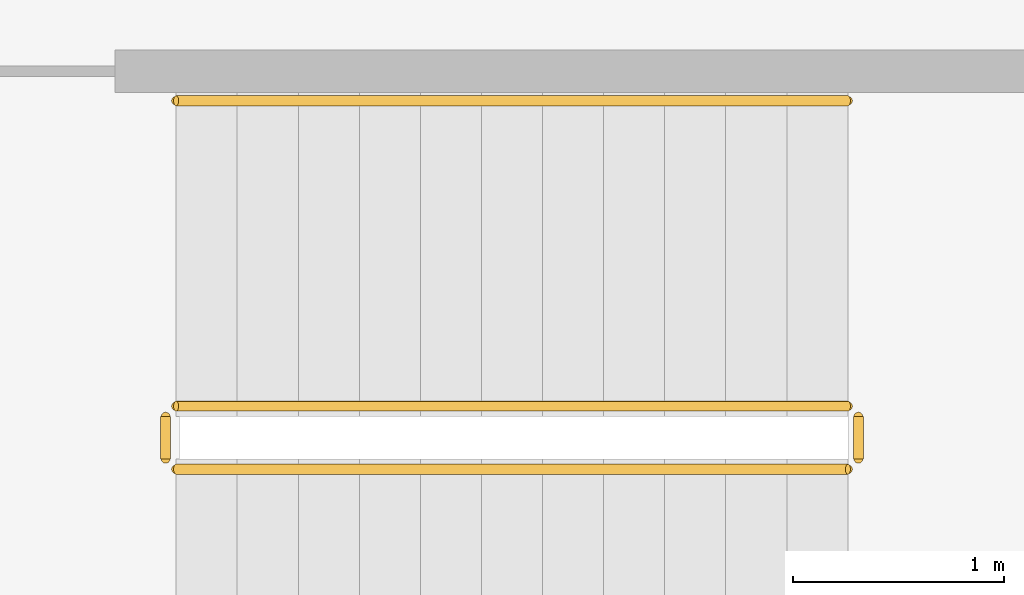
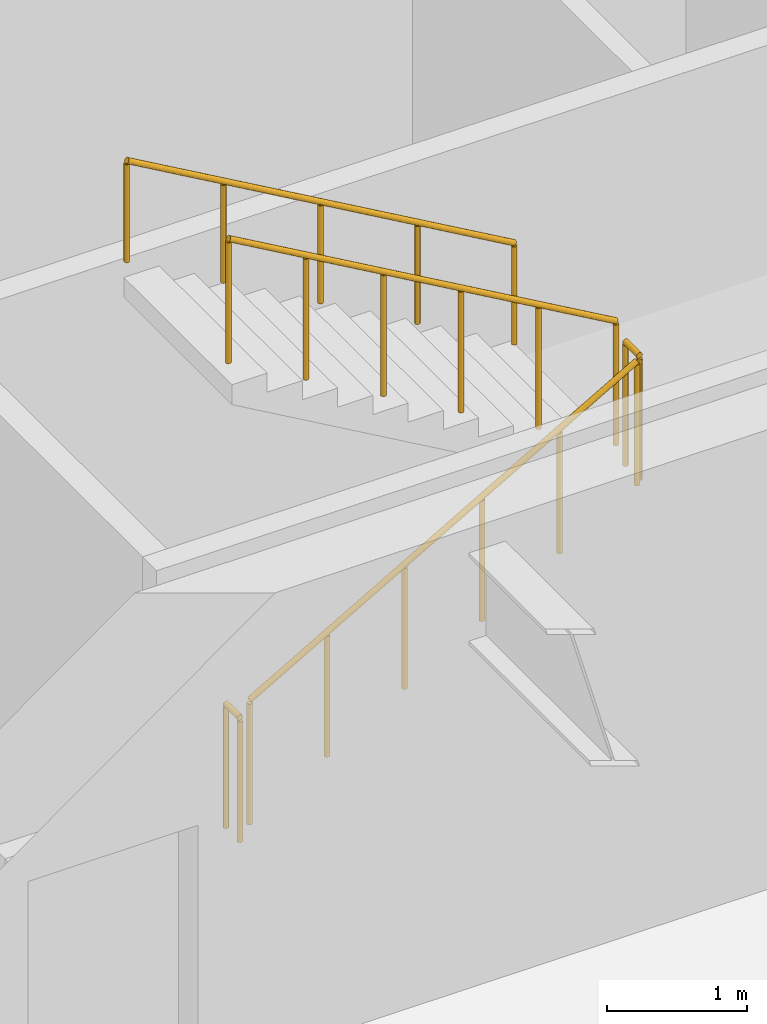
# One storey, part 19 of 20: 5 railings.
"""IFC4 building model written with IfcOpenShell, lengths in metres."""

import ifcopenshell
import ifcopenshell.guid

model = None  # the IFC model being written
_history = None  # IfcOwnerHistory: only IFC2X3 demands one
_inside = {}  # id of a spatial element -> (the spatial element, [elements in it])
_under = {}  # id of a project, library or spatial element -> (it, [spatial elements below it])
_declared = {}  # id of a project -> (the project, [libraries it declares])
_typed = {}  # id of a type object -> (the type object, [elements of that type])
_made_of = {}  # id of a material, layer set ... -> (it, [elements and type objects made of it])


def new_model(schema):
    """Start an empty IFC model of exactly this schema.

    Asked for "IFC4X3", IfcOpenShell would pick the latest addendum, in which some entities
    have other attributes; the version numbers below select the first issue.
    IFC2X3 requires an IfcOwnerHistory on every rooted entity: one is made here for all.
    """
    global model, _history
    if schema == "IFC4X3":
        model = ifcopenshell.file(schema_version=(4, 3, 0, 0))
    else:
        model = ifcopenshell.file(schema=schema)
    _inside.clear()
    _under.clear()
    _declared.clear()
    _typed.clear()
    _made_of.clear()
    _history = None
    if model.schema == "IFC2X3":
        org = make("IfcOrganization", Name="unknown")
        user = make(
            "IfcPersonAndOrganization",
            ThePerson=make("IfcPerson", FamilyName="unknown"),
            TheOrganization=org,
        )
        app = make(
            "IfcApplication",
            ApplicationDeveloper=org,
            Version="unknown",
            ApplicationFullName="unknown",
            ApplicationIdentifier="unknown",
        )
        _history = make(
            "IfcOwnerHistory",
            OwningUser=user,
            OwningApplication=app,
            ChangeAction="ADDED",
            CreationDate=0,
        )
    return model


def make(cls, **values):
    """One entity of the class cls with the attributes given. An attribute that is None is left unset."""
    return model.create_entity(
        cls, **{name: value for name, value in values.items() if value is not None}
    )


def rooted(cls, **values):
    """An entity with a GlobalId (a new one), such as an element, a storey or a relation."""
    return make(cls, GlobalId=ifcopenshell.guid.new(), OwnerHistory=_history, **values)


def si_unit(unit_type, name, prefix=None):
    """IfcSIUnit, for example si_unit("LENGTHUNIT", "METRE", prefix="MILLI")."""
    return make("IfcSIUnit", UnitType=unit_type, Prefix=prefix, Name=name)


def assignment(units):
    """IfcUnitAssignment: the units of a project."""
    return None if units is None else make("IfcUnitAssignment", Units=units)


def point(xyz):
    """IfcCartesianPoint."""
    return None if xyz is None else make("IfcCartesianPoint", Coordinates=xyz)


def direction(xyz):
    """IfcDirection."""
    return None if xyz is None else make("IfcDirection", DirectionRatios=xyz)


def frame(location, z_axis=None, x_axis=None):
    """IfcAxis2Placement3D, a coordinate frame: its origin and axes. An axis left out is left unset."""
    return make(
        "IfcAxis2Placement3D",
        Location=point(location),
        Axis=direction(z_axis),
        RefDirection=direction(x_axis),
    )


def frame_2d(location, x_axis=None):
    """IfcAxis2Placement2D, a coordinate frame in the plane: its origin and x axis."""
    return make(
        "IfcAxis2Placement2D", Location=point(location), RefDirection=direction(x_axis)
    )


def origin():
    """The frame at (0, 0, 0) with its axes left unset."""
    return frame((0.0, 0.0, 0.0))


def origin_2d():
    """The frame at (0, 0) in the plane with its x axis left unset."""
    return frame_2d((0.0, 0.0))


def place(relative_to, where):
    """IfcLocalPlacement: puts the frame where relative to a parent placement (None: the world)."""
    return make(
        "IfcLocalPlacement", PlacementRelTo=relative_to, RelativePlacement=where
    )


def context(
    kind, dimensions, precision=None, world=None, true_north=None, identifier=None
):
    """IfcGeometricRepresentationContext, for example the 3D "Model" context."""
    return make(
        "IfcGeometricRepresentationContext",
        ContextIdentifier=identifier,
        ContextType=kind,
        CoordinateSpaceDimension=dimensions,
        Precision=precision,
        WorldCoordinateSystem=world,
        TrueNorth=true_north,
    )


def subcontext(parent, identifier, kind, view, scale=None):
    """IfcGeometricRepresentationSubContext, for example "Body" below "Model"."""
    return make(
        "IfcGeometricRepresentationSubContext",
        ContextIdentifier=identifier,
        ContextType=kind,
        ParentContext=parent,
        TargetScale=scale,
        TargetView=view,
    )


def project(units=None, contexts=None):
    """IfcProject with its units and contexts."""
    return rooted(
        "IfcProject",
        Name="project",
        RepresentationContexts=contexts,
        UnitsInContext=assignment(units),
    )


def spatial(cls, under=None, at=None, **own):
    """A site, building, storey or space (cls), placed at a placement, below another one or the project."""
    s = rooted(cls, ObjectPlacement=at, **own)
    if under is not None:
        _under.setdefault(under.id(), (under, []))[1].append(s)
    return s


def profile(cls, at=None, kind="AREA", **sizes):
    """A parametric profile (cls). Its sizes go by their IFC names, for example OverallWidth=200.0."""
    return make(cls, ProfileType=kind, Position=at, **sizes)


def circle(**sizes):
    """IfcCircleProfileDef."""
    return profile("IfcCircleProfileDef", **sizes)


def extrude(swept, where, along, depth):
    """IfcExtrudedAreaSolid: the profile swept, set in the frame where, extruded along a direction by depth."""
    return make(
        "IfcExtrudedAreaSolid",
        SweptArea=swept,
        Position=where,
        ExtrudedDirection=direction(along),
        Depth=depth,
    )


def shape(context_of_items, identifier, shape_type, items):
    """IfcShapeRepresentation: the items that make up one representation, for example the "Body"."""
    return make(
        "IfcShapeRepresentation",
        ContextOfItems=context_of_items,
        RepresentationIdentifier=identifier,
        RepresentationType=shape_type,
        Items=items,
    )


def material(Name=None, Category=None):
    """IfcMaterial."""
    return make("IfcMaterial", Name=Name, Category=Category)


def made_of(thing, what):
    """Note that an element or type object is made of a material, layer set ...; save() writes the relation."""
    if what is not None:
        _made_of.setdefault(what.id(), (what, []))[1].append(thing)
    return thing


def type_object(cls, material=None, **own):
    """A type object (cls), such as IfcWallType, which elements share."""
    return made_of(rooted(cls, **own), material)


def element(
    cls,
    number,
    at=None,
    inside=None,
    cuts=None,
    type_object=None,
    material=None,
    context=None,
    identifier="Body",
    shape_type=None,
    held_by="IfcProductDefinitionShape",
    body=None,
    shapes=None,
    **own,
):
    """One element of the class cls, such as IfcWall. Its Tag is "e" and its number.

    at: its placement. inside: the storey or other place that contains it. cuts: it is an
    opening in that element (IfcRelVoidsElement). A single representation is given by context,
    identifier, shape_type and body (its items); several are given by shapes. held_by: the class
    of the entity that holds the representations. save() writes the other relations.
    """
    e = rooted(cls, Tag="e%d" % number, ObjectPlacement=at, **own)
    if body is not None:
        shapes = [shape(context, identifier, shape_type, body)]
    if shapes is not None:
        e.Representation = make(held_by, Representations=shapes)
    if inside is not None:
        _inside.setdefault(inside.id(), (inside, []))[1].append(e)
    if cuts is not None:
        rooted(
            "IfcRelVoidsElement", RelatingBuildingElement=cuts, RelatedOpeningElement=e
        )
    if type_object is not None:
        _typed.setdefault(type_object.id(), (type_object, []))[1].append(e)
    return made_of(e, material)


def aggregate(whole, parts):
    """IfcRelAggregates: a whole, such as a stair, and the parts it consists of."""
    return rooted("IfcRelAggregates", RelatingObject=whole, RelatedObjects=parts)


def save(model, path):
    """Write the relations noted so far, then the file.

    IfcRelAggregates (storeys below a building ...), IfcRelContainedInSpatialStructure (elements
    in a storey), IfcRelDefinesByType, IfcRelAssociatesMaterial and IfcRelDeclares: one each for
    every whole, place, type object, material and project.
    """
    for whole, parts in _under.values():
        aggregate(whole, parts)
    for where, things in _inside.values():
        rooted(
            "IfcRelContainedInSpatialStructure",
            RelatedElements=things,
            RelatingStructure=where,
        )
    for kind, things in _typed.values():
        rooted("IfcRelDefinesByType", RelatedObjects=things, RelatingType=kind)
    for what, things in _made_of.values():
        rooted("IfcRelAssociatesMaterial", RelatedObjects=things, RelatingMaterial=what)
    for by, libraries in _declared.values():
        rooted("IfcRelDeclares", RelatingContext=by, RelatedDefinitions=libraries)
    model.write(path)


model = new_model("IFC4")

# Units and contexts
model_context = context("Model", 3, precision=1e-05, world=origin(), true_north=direction((0.0, 1.0)))
body_context = subcontext(model_context, "Body", "Model", "MODEL_VIEW")
ifc_project = project(units=[si_unit("LENGTHUNIT", "METRE"), si_unit("AREAUNIT", "SQUARE_METRE"), si_unit("VOLUMEUNIT", "CUBIC_METRE"), si_unit("PLANEANGLEUNIT", "RADIAN"), si_unit("MASSUNIT", "GRAM", prefix="KILO")], contexts=[model_context])

# Site, building, storey
site_placement = place(None, origin())
site = spatial("IfcSite", under=ifc_project, at=site_placement, CompositionType="ELEMENT")
building_placement = place(site_placement, origin())
building = spatial("IfcBuilding", under=site, at=building_placement, Name="Putna Gate Headquarters", CompositionType="ELEMENT")
storey_placement = place(building_placement, frame((0.0, 0.0, 302.39990234375)))
storey = spatial("IfcBuildingStorey", under=building, at=storey_placement, Name="L76", CompositionType="ELEMENT", Elevation=302.39990234375)

# Railings
ifc_material_1 = material(Name="Powder-coated steel stair guardrail", Category="steel")
railing_type_1 = type_object("IfcRailingType", Name="RAIL-STAIR-GUARD-1100", PredefinedType="GUARDRAIL", material=ifc_material_1)
railing_1_placement = place(storey_placement, frame((57.89990234375, 21.10009765625, 0.166748046875)))
element("IfcRailing", 1, at=railing_1_placement, inside=storey, type_object=railing_type_1, Name="L76 ST2 stair guard 1", PredefinedType="GUARDRAIL", context=body_context, shape_type="SweptSolid", body=[
    extrude(circle(Radius=0.02392578125, at=origin_2d()), frame((0.0, 0.0, 1.076171875), z_axis=(0.8670360191, 0.0, 0.498245463184), x_axis=(0.0, 1.0, 0.0)), (0.0, 0.0, 1.0), 3.679443359375),
    extrude(circle(Radius=0.02099609375, at=origin_2d()), origin(), (0.0, 0.0, 1.0), 1.052001953125),
    extrude(circle(Radius=0.02099609375, at=origin_2d()), frame((0.637939453125, 0.0, 0.36669921875)), (0.0, 0.0, 1.0), 1.052001953125),
    extrude(circle(Radius=0.02099609375, at=origin_2d()), frame((1.276123046875, 0.0, 0.7333984375)), (0.0, 0.0, 1.0), 1.052001953125),
    extrude(circle(Radius=0.02099609375, at=origin_2d()), frame((1.9140625, 0.0, 1.099853515625)), (0.0, 0.0, 1.0), 1.052001953125),
    extrude(circle(Radius=0.02099609375, at=origin_2d()), frame((2.55224609375, 0.0, 1.466552734375)), (0.0, 0.0, 1.0), 1.052001953125),
    extrude(circle(Radius=0.02099609375, at=origin_2d()), frame((3.190185546875, 0.0, 1.833251953125)), (0.0, 0.0, 1.0), 1.052001953125),
])
railing_2_placement = place(storey_placement, frame((61.139892578125, 21.14990234375, 2.0)))
element("IfcRailing", 2, at=railing_2_placement, inside=storey, type_object=railing_type_1, Name="L76 ST2 stair guard 2", PredefinedType="GUARDRAIL", context=body_context, shape_type="SweptSolid", body=[
    extrude(circle(Radius=0.02392578125, at=origin_2d()), frame((0.0, 0.0, 1.076171875), z_axis=(0.0, 1.0, 0.0), x_axis=(-1.0, 0.0, 0.0)), (0.0, 0.0, 1.0), 0.2001953125),
    extrude(circle(Radius=0.02099609375, at=origin_2d()), origin(), (0.0, 0.0, 1.0), 1.052001953125),
    extrude(circle(Radius=0.02099609375, at=origin_2d()), frame((0.0, 0.2001953125, 0.0)), (0.0, 0.0, 1.0), 1.052001953125),
])
railing_3_placement = place(storey_placement, frame((61.090087890625, 21.39990234375, 2.166748046875)))
element("IfcRailing", 3, at=railing_3_placement, inside=storey, type_object=railing_type_1, Name="L76 ST2 stair guard 3", PredefinedType="GUARDRAIL", context=body_context, shape_type="SweptSolid", body=[
    extrude(circle(Radius=0.02392578125, at=origin_2d()), frame((0.0, 0.0, 1.076171875), z_axis=(-0.8670360191, 0.0, 0.498245463184), x_axis=(0.0, -1.0, 0.0)), (0.0, 0.0, 1.0), 3.679443359375),
    extrude(circle(Radius=0.02099609375, at=origin_2d()), origin(), (0.0, 0.0, 1.0), 1.052001953125),
    extrude(circle(Radius=0.02099609375, at=origin_2d()), frame((-0.637939453125, 0.0, 0.36669921875)), (0.0, 0.0, 1.0), 1.052001953125),
    extrude(circle(Radius=0.02099609375, at=origin_2d()), frame((-1.276123046875, 0.0, 0.7333984375)), (0.0, 0.0, 1.0), 1.052001953125),
    extrude(circle(Radius=0.02099609375, at=origin_2d()), frame((-1.9140625, 0.0, 1.099853515625)), (0.0, 0.0, 1.0), 1.052001953125),
    extrude(circle(Radius=0.02099609375, at=origin_2d()), frame((-2.55224609375, 0.0, 1.466552734375)), (0.0, 0.0, 1.0), 1.052001953125),
    extrude(circle(Radius=0.02099609375, at=origin_2d()), frame((-3.190185546875, 0.0, 1.833251953125)), (0.0, 0.0, 1.0), 1.052001953125),
])
railing_4_placement = place(storey_placement, frame((57.85009765625, 21.14990234375, 0.0)))
element("IfcRailing", 4, at=railing_4_placement, inside=storey, type_object=railing_type_1, Name="L76 ST2 stair guard 4", PredefinedType="GUARDRAIL", context=body_context, shape_type="SweptSolid", body=[
    extrude(circle(Radius=0.02392578125, at=origin_2d()), frame((0.0, 0.0, 1.076171875), z_axis=(0.0, 1.0, 0.0), x_axis=(-1.0, 0.0, 0.0)), (0.0, 0.0, 1.0), 0.2001953125),
    extrude(circle(Radius=0.02099609375, at=origin_2d()), origin(), (0.0, 0.0, 1.0), 1.052001953125),
    extrude(circle(Radius=0.02099609375, at=origin_2d()), frame((0.0, 0.2001953125, 0.0)), (0.0, 0.0, 1.0), 1.052001953125),
])
ifc_material_2 = material(Name="Brushed stainless steel handrail", Category="steel")
railing_type_2 = type_object("IfcRailingType", Name="RAIL-STAIR-HAND-900", PredefinedType="HANDRAIL", material=ifc_material_2)
railing_5_placement = place(storey_placement, frame((61.090087890625, 22.85009765625, 2.166748046875)))
element("IfcRailing", 5, at=railing_5_placement, inside=storey, type_object=railing_type_2, Name="L76 ST2 stair handrail 2", PredefinedType="HANDRAIL", context=body_context, shape_type="SweptSolid", body=[
    extrude(circle(Radius=0.02392578125, at=origin_2d()), frame((0.0, 0.0, 0.8759765625), z_axis=(-0.8670360191, 0.0, 0.498245463184), x_axis=(0.0, -1.0, 0.0)), (0.0, 0.0, 1.0), 3.679443359375),
    extrude(circle(Radius=0.02099609375, at=origin_2d()), origin(), (0.0, 0.0, 1.0), 0.851806640625),
    extrude(circle(Radius=0.02099609375, at=origin_2d()), frame((-0.797607421875, 0.0, 0.458251953125)), (0.0, 0.0, 1.0), 0.851806640625),
    extrude(circle(Radius=0.02099609375, at=origin_2d()), frame((-1.59521484375, 0.0, 0.91650390625)), (0.0, 0.0, 1.0), 0.851806640625),
    extrude(circle(Radius=0.02099609375, at=origin_2d()), frame((-2.392578125, 0.0, 1.375)), (0.0, 0.0, 1.0), 0.851806640625),
    extrude(circle(Radius=0.02099609375, at=origin_2d()), frame((-3.190185546875, 0.0, 1.833251953125)), (0.0, 0.0, 1.0), 0.851806640625),
])

save(model, "model.ifc")
